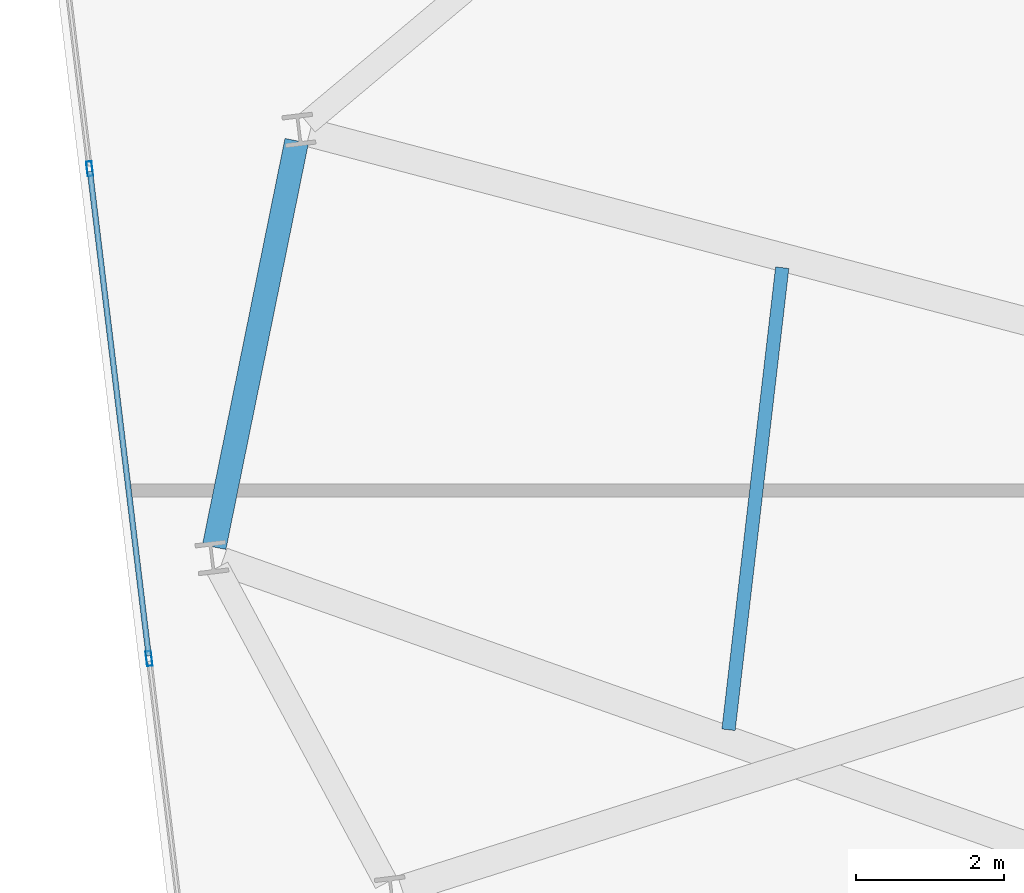
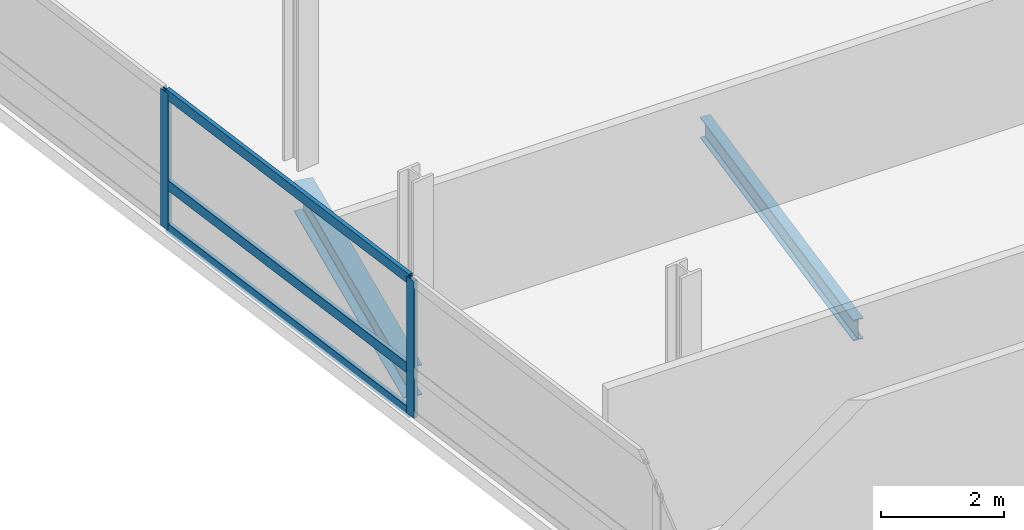
# One storey, part 6 of 23: 5 members, 2 beams, 1 element without a shape of its own.
"""IFC4 building model written with IfcOpenShell, lengths in metres."""

from ifc_helpers import new_model, si_unit, direction, frame, origin, origin_2d, place, context, subcontext, project, spatial, hollow_rectangle, i_section, extrude, material, layer, layer_set, material_profile, profile_set, type_object, element, aggregate, save


model = new_model("IFC4")

# Units and contexts
model_context = context("Model", 3, precision=1e-05, world=origin(), true_north=direction((0.0, 1.0)))
body_context = subcontext(model_context, "Body", "Model", "MODEL_VIEW")
ifc_project = project(units=[si_unit("LENGTHUNIT", "METRE"), si_unit("AREAUNIT", "SQUARE_METRE"), si_unit("VOLUMEUNIT", "CUBIC_METRE"), si_unit("PLANEANGLEUNIT", "RADIAN"), si_unit("MASSUNIT", "GRAM", prefix="KILO")], contexts=[model_context])

# Site, building, storey
site_placement = place(None, origin())
site = spatial("IfcSite", under=ifc_project, at=site_placement, CompositionType="ELEMENT")
building_placement = place(site_placement, origin())
building = spatial("IfcBuilding", under=site, at=building_placement, Name="Varnelok Gate Tower", CompositionType="ELEMENT")
storey_placement = place(building_placement, frame((0.0, 0.0, 189.39990234375)))
storey = spatial("IfcBuildingStorey", under=building, at=storey_placement, Name="L48", CompositionType="ELEMENT", Elevation=189.39990234375)

# Beams
ifc_material_1 = material(Name="Structural Steel ASTM A992 Grade 50", Category="steel")
ifc_material_profile_1 = material_profile(ifc_material_1, i_section(OverallWidth=0.180908203125, OverallDepth=0.4169921875, WebThickness=0.010986328125, FlangeThickness=0.018310546875, FilletRadius=0.013916015625, at=origin_2d()), Name="W16X57")
ifc_profile_set_1 = profile_set([ifc_material_profile_1], Name="Structural Steel ASTM A992 Grade 50")
beam_type_1 = type_object("IfcBeamType", Name="BM-JST-W16X57", PredefinedType="JOIST", material=ifc_profile_set_1)
beam_1_placement = place(storey_placement, frame((12.46630859375, 29.676025390625, -0.45849609375), z_axis=(-0.115437706944, -0.993314721433, 0.0), x_axis=(0.993314721433, -0.115437706944, 0.0)))
element("IfcBeam", 1, at=beam_1_placement, inside=storey, type_object=beam_type_1, Name="L48 Sector Floor Joist 11", PredefinedType="JOIST", context=body_context, shape_type="SweptSolid", body=[
    extrude(i_section(OverallWidth=0.180908203125, OverallDepth=0.4169921875, WebThickness=0.010986328125, FlangeThickness=0.018310546875, FilletRadius=0.013916015625, at=origin_2d()), origin(), (0.0, 0.0, 1.0), 6.298095703125),
])
ifc_material_profile_2 = material_profile(ifc_material_1, i_section(OverallWidth=0.323974609375, OverallDepth=0.611083984375, WebThickness=0.0126953125, FlangeThickness=0.01904296875, FilletRadius=0.01806640625, at=origin_2d()), Name="W24X104")
ifc_profile_set_2 = profile_set([ifc_material_profile_2], Name="Structural Steel ASTM A992 Grade 50")
beam_type_2 = type_object("IfcBeamType", Name="BM-SPN-W24X104", PredefinedType="SPANDREL", material=ifc_profile_set_2)
beam_2_placement = place(storey_placement, frame((5.893310546875, 31.393798828125, -0.555419921875), z_axis=(-0.199143476404, -0.97997034435, 0.0), x_axis=(0.97997034435, -0.199143476404, 0.0)))
element("IfcBeam", 2, at=beam_2_placement, inside=storey, type_object=beam_type_2, Name="L48 Perimeter Spandrel Beam 14", PredefinedType="SPANDREL", context=body_context, shape_type="SweptSolid", body=[
    extrude(i_section(OverallWidth=0.323974609375, OverallDepth=0.611083984375, WebThickness=0.0126953125, FlangeThickness=0.01904296875, FilletRadius=0.01806640625, at=origin_2d()), origin(), (0.0, 0.0, 1.0), 5.6123046875),
])

# Curtain wall, members
ifc_material_2 = material(Name="Anodized Aluminum Alloy 6063-T6", Category="aluminium")
ifc_layer = layer(ifc_material_2, 0.179931640625)
ifc_layer_set = layer_set([ifc_layer], Name="Anodized Aluminum Alloy 6063-T6")
curtain_wall_type = type_object("IfcCurtainWallType", Name="CW4-RESIDENCE-VISION", PredefinedType="USERDEFINED", material=ifc_layer_set)
curtain_wall_placement = place(storey_placement, origin())
curtain_wall = element("IfcCurtainWall", 3, at=curtain_wall_placement, inside=storey, type_object=curtain_wall_type, Name="L48 West End Vision Curtain Wall", ObjectType="UNITISED CURTAIN WALL", PredefinedType="USERDEFINED")
ifc_material_profile_3 = material_profile(ifc_material_2, hollow_rectangle(XDim=0.074951171875, YDim=0.199951171875, WallThickness=0.00390625, at=origin_2d()), Name="ALU200X75X4")
ifc_profile_set_3 = profile_set([ifc_material_profile_3], Name="Anodized Aluminum Alloy 6063-T6")
member_type_1 = type_object("IfcMemberType", Name="CW-MULL-200", PredefinedType="MULLION", material=ifc_profile_set_3)
member_1_placement = place(storey_placement, frame((3.8935546875, 24.384521484375, 0.0), z_axis=(0.0, 0.0, 1.0), x_axis=(-0.992732188751, -0.120344511371, 0.0)))
member_1 = element("IfcMember", 4, at=member_1_placement, type_object=member_type_1, Name="CW4 mullion 4", PredefinedType="MULLION", context=body_context, shape_type="SweptSolid", body=[
    extrude(hollow_rectangle(XDim=0.074951171875, YDim=0.199951171875, WallThickness=0.00390625, at=origin_2d()), origin(), (0.0, 0.0, 1.0), 2.72998046875),
])
member_2_placement = place(storey_placement, frame((3.089599609375, 31.015869140625, 0.0), z_axis=(0.0, 0.0, 1.0), x_axis=(-0.992732188751, -0.120344511371, 0.0)))
member_2 = element("IfcMember", 5, at=member_2_placement, type_object=member_type_1, Name="CW4 mullion 5", PredefinedType="MULLION", context=body_context, shape_type="SweptSolid", body=[
    extrude(hollow_rectangle(XDim=0.074951171875, YDim=0.199951171875, WallThickness=0.00390625, at=origin_2d()), origin(), (0.0, 0.0, 1.0), 2.72998046875),
])
ifc_material_profile_4 = material_profile(ifc_material_2, hollow_rectangle(XDim=0.074951171875, YDim=0.199951171875, WallThickness=0.00390625, at=origin_2d()), Name="ALU200X75X4")
ifc_profile_set_4 = profile_set([ifc_material_profile_4], Name="Anodized Aluminum Alloy 6063-T6")
member_type_2 = type_object("IfcMemberType", Name="CW-TRAN-200", PredefinedType="USERDEFINED", material=ifc_profile_set_4)
member_3_placement = place(storey_placement, frame((3.88916015625, 24.421630859375, 0.03759765625), z_axis=(-0.120353445289, 0.992731105691, 0.0), x_axis=(-0.992731105691, -0.120353445289, 0.0)))
member_3 = element("IfcMember", 6, at=member_3_placement, type_object=member_type_2, Name="CW4 transom 4.1", ObjectType="TRANSOM", PredefinedType="USERDEFINED", context=body_context, shape_type="SweptSolid", body=[
    extrude(hollow_rectangle(XDim=0.074951171875, YDim=0.199951171875, WallThickness=0.00390625, at=origin_2d()), origin(), (0.0, 0.0, 1.0), 6.60498046875),
])
member_4_placement = place(storey_placement, frame((3.88916015625, 24.421630859375, 0.900146484375), z_axis=(-0.120353445289, 0.992731105691, 0.0), x_axis=(-0.992731105691, -0.120353445289, 0.0)))
member_4 = element("IfcMember", 7, at=member_4_placement, type_object=member_type_2, Name="CW4 transom 4.2", ObjectType="TRANSOM", PredefinedType="USERDEFINED", context=body_context, shape_type="SweptSolid", body=[
    extrude(hollow_rectangle(XDim=0.074951171875, YDim=0.199951171875, WallThickness=0.00390625, at=origin_2d()), origin(), (0.0, 0.0, 1.0), 6.60498046875),
])
member_5_placement = place(storey_placement, frame((3.88916015625, 24.421630859375, 2.692626953125), z_axis=(-0.120353445289, 0.992731105691, 0.0), x_axis=(-0.992731105691, -0.120353445289, 0.0)))
member_5 = element("IfcMember", 8, at=member_5_placement, type_object=member_type_2, Name="CW4 transom 4.3", ObjectType="TRANSOM", PredefinedType="USERDEFINED", context=body_context, shape_type="SweptSolid", body=[
    extrude(hollow_rectangle(XDim=0.074951171875, YDim=0.199951171875, WallThickness=0.00390625, at=origin_2d()), origin(), (0.0, 0.0, 1.0), 6.60498046875),
])
aggregate(curtain_wall, [member_1, member_2, member_3, member_4, member_5])

save(model, "model.ifc")
